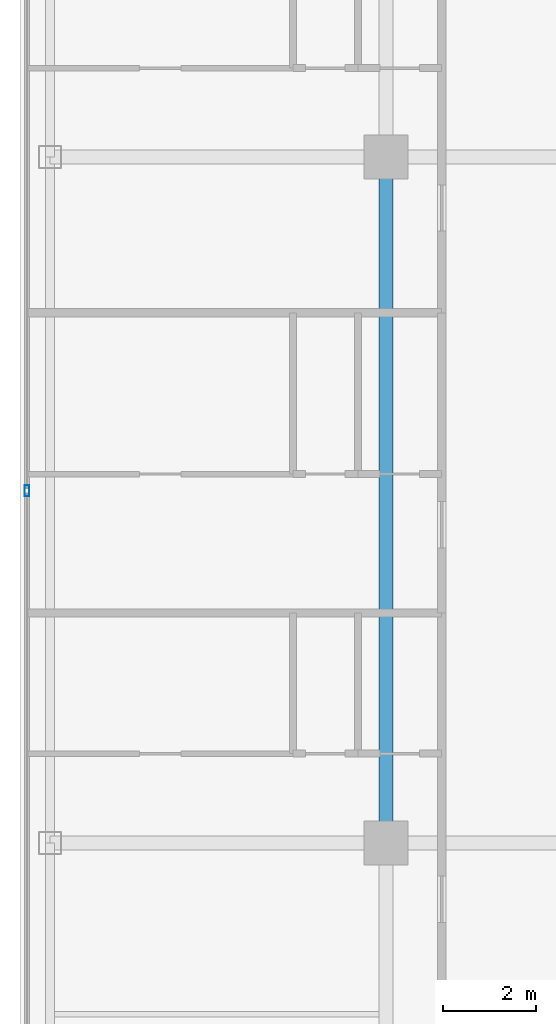
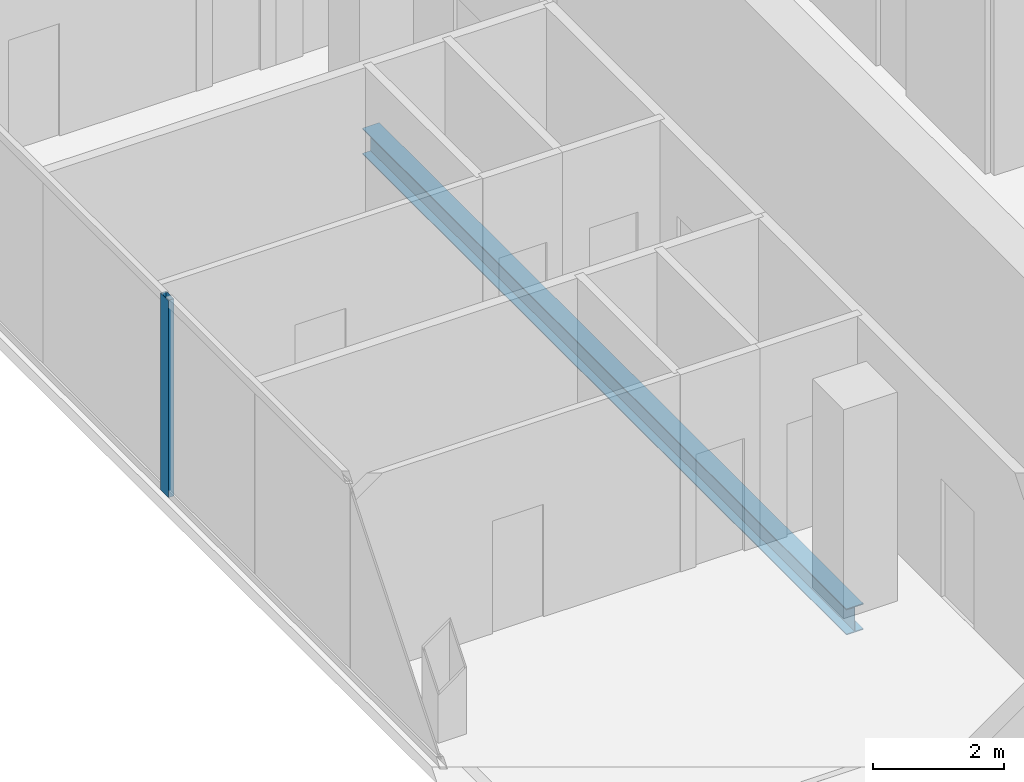
# One storey, part 6 of 23: 1 beam, 1 member, 1 element without a shape of its own.
"""IFC4 building model written with IfcOpenShell, lengths in metres."""

from ifc_helpers import new_model, si_unit, direction, frame, origin, origin_2d, place, context, subcontext, project, spatial, hollow_rectangle, i_section, extrude, material, layer, layer_set, material_profile, profile_set, type_object, element, aggregate, save


model = new_model("IFC4")

# Units and contexts
model_context = context("Model", 3, precision=1e-05, world=origin(), true_north=direction((0.0, 1.0)))
body_context = subcontext(model_context, "Body", "Model", "MODEL_VIEW")
ifc_project = project(units=[si_unit("LENGTHUNIT", "METRE"), si_unit("AREAUNIT", "SQUARE_METRE"), si_unit("VOLUMEUNIT", "CUBIC_METRE"), si_unit("PLANEANGLEUNIT", "RADIAN"), si_unit("MASSUNIT", "GRAM", prefix="KILO")], contexts=[model_context])

# Site, building, storey
site_placement = place(None, origin())
site = spatial("IfcSite", under=ifc_project, at=site_placement, CompositionType="ELEMENT")
building_placement = place(site_placement, origin())
building = spatial("IfcBuilding", under=site, at=building_placement, Name="Khorvyn Point Tower", CompositionType="ELEMENT")
storey_placement = place(building_placement, frame((0.0, 0.0, 297.60009765625)))
storey = spatial("IfcBuildingStorey", under=building, at=storey_placement, Name="L73", CompositionType="ELEMENT", Elevation=297.60009765625)

# Curtain wall, member
ifc_material_1 = material(Name="Anodised aluminium 6063-T6 and laminated Low-E glass", Category="aluminium")
ifc_layer = layer(ifc_material_1, 0.18994140625)
ifc_layer_set = layer_set([ifc_layer], Name="Stick-Built High-Wind Curtain Wall CW-SYS-04")
curtain_wall_type = type_object("IfcCurtainWallType", Name="Stick-Built High-Wind Curtain Wall CW-SYS-04", PredefinedType="NOTDEFINED", material=ifc_layer_set)
curtain_wall_placement = place(storey_placement, origin())
curtain_wall = element("IfcCurtainWall", 1, at=curtain_wall_placement, inside=storey, type_object=curtain_wall_type, Name="Curtain Wall", PredefinedType="NOTDEFINED")
ifc_material_2 = material(Name="Anodised aluminium 6063-T6", Category="aluminium")
ifc_material_profile_1 = material_profile(ifc_material_2, hollow_rectangle(XDim=0.10009765625, YDim=0.239990234375, WallThickness=0.0048828125, at=origin_2d()))
ifc_profile_set_1 = profile_set([ifc_material_profile_1], Name="Anodised aluminium 6063-T6 ALU-MUL-100x240")
member_type = type_object("IfcMemberType", Name="Anodised Aluminium 6063-T6 Mullion ALU-MUL-100x240", PredefinedType="MULLION", material=ifc_profile_set_1)
member_placement = place(storey_placement, frame((-22.550048828125, 0.199951171875, 0.0), z_axis=(0.0, 0.0, 1.0), x_axis=(-1.0, 0.0, 0.0)))
member = element("IfcMember", 2, at=member_placement, type_object=member_type, Name="Transom", PredefinedType="MULLION", context=body_context, shape_type="SweptSolid", body=[
    extrude(hollow_rectangle(XDim=0.10009765625, YDim=0.239990234375, WallThickness=0.0048828125, at=origin_2d()), origin(), (0.0, 0.0, 1.0), 3.679931640625),
])
aggregate(curtain_wall, [member])

# Beam
ifc_material_3 = material(Name="Steel S355", Category="steel")
ifc_material_profile_2 = material_profile(ifc_material_3, i_section(OverallWidth=0.300048828125, OverallDepth=0.488037109375, WebThickness=0.010986328125, FlangeThickness=0.01806640625, at=origin_2d()))
ifc_profile_set_2 = profile_set([ifc_material_profile_2], Name="Steel S355 H488x300x11x18")
beam_type = type_object("IfcBeamType", Name="Steel S355 Spandrel H488x300x11x18", PredefinedType="SPANDREL", material=ifc_profile_set_2)
beam_placement = place(storey_placement, frame((-14.800048828125, -7.39990234375, -0.464111328125), z_axis=(0.0, 1.0, 0.0), x_axis=(-1.0, 0.0, 0.0)))
element("IfcBeam", 3, at=beam_placement, inside=storey, type_object=beam_type, Name="Beam", PredefinedType="SPANDREL", context=body_context, shape_type="SweptSolid", body=[
    extrude(i_section(OverallWidth=0.300048828125, OverallDepth=0.488037109375, WebThickness=0.010986328125, FlangeThickness=0.01806640625, at=origin_2d()), origin(), (0.0, 0.0, 1.0), 14.7998046875),
])

save(model, "model.ifc")
